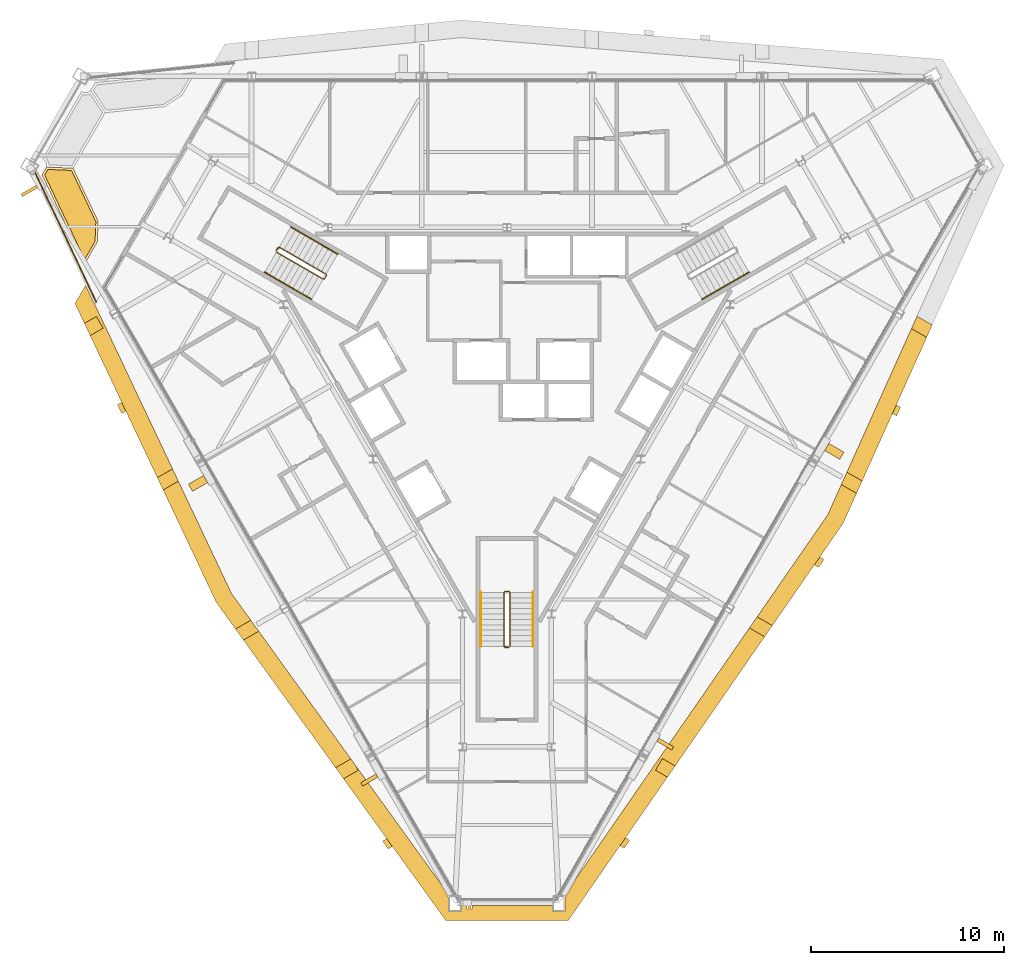
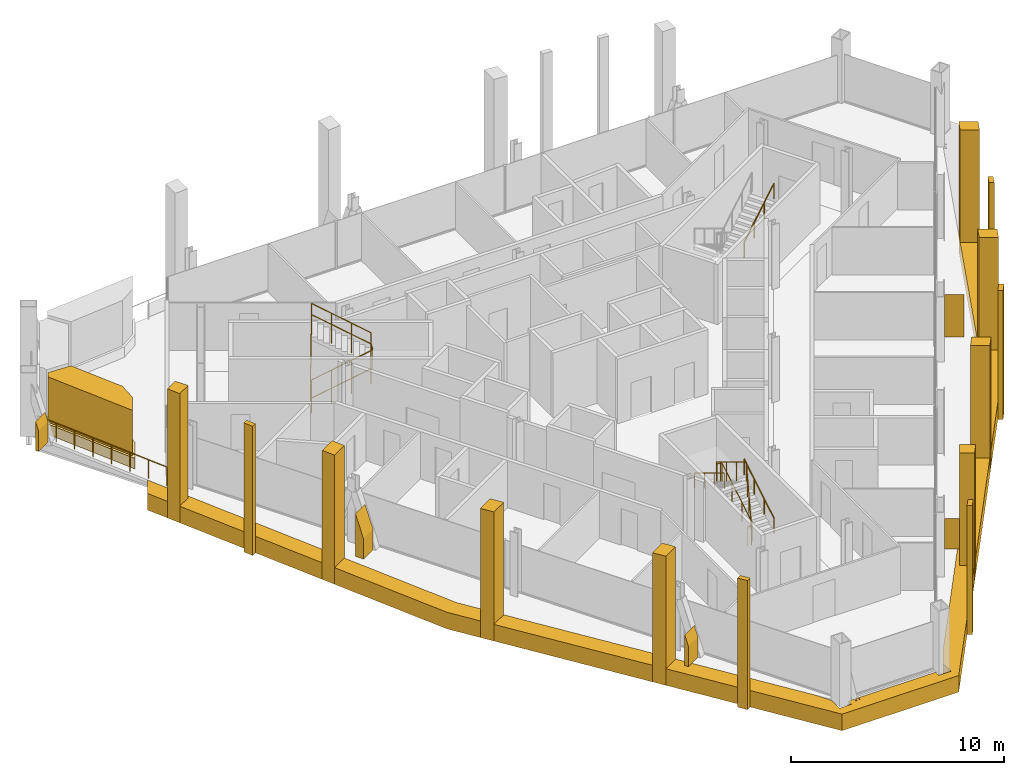
# One storey, part 13 of 14: 26 coverings, 8 railings.
"""IFC4 building model written with IfcOpenShell, lengths in metres."""

from ifc_helpers import new_model, si_unit, direction, frame, origin, origin_2d, place, context, subcontext, project, spatial, polyline, circle, outline, extrude, material, layer, layer_set, type_object, element, save


model = new_model("IFC4")

# Units and contexts
model_context = context("Model", 3, precision=1e-05, world=origin(), true_north=direction((0.0, 1.0)))
body_context = subcontext(model_context, "Body", "Model", "MODEL_VIEW")
ifc_project = project(units=[si_unit("LENGTHUNIT", "METRE"), si_unit("AREAUNIT", "SQUARE_METRE"), si_unit("VOLUMEUNIT", "CUBIC_METRE"), si_unit("PLANEANGLEUNIT", "RADIAN"), si_unit("MASSUNIT", "GRAM", prefix="KILO")], contexts=[model_context])

# Site, building, storey
site_placement = place(None, origin())
site = spatial("IfcSite", under=ifc_project, at=site_placement, CompositionType="ELEMENT")
building_placement = place(site_placement, origin())
building = spatial("IfcBuilding", under=site, at=building_placement, Name="Verrane Prism Tower", CompositionType="ELEMENT")
storey_placement = place(building_placement, frame((0.0, 0.0, 228.60009765625)))
storey = spatial("IfcBuildingStorey", under=building, at=storey_placement, Name="L57", CompositionType="ELEMENT", Elevation=228.60009765625)

# Railing
ifc_material_1 = material(Name="Stainless steel and laminated glass", Category="steel")
railing_type_1 = type_object("IfcRailingType", Name="Garden guard 1100", PredefinedType="GUARDRAIL", material=ifc_material_1)
railing_1_placement = place(storey_placement, frame((-24.4248046875, 10.811279296875, 0.0)))
element("IfcRailing", 1, at=railing_1_placement, inside=storey, type_object=railing_type_1, Name="Garden guard L57 3", PredefinedType="GUARDRAIL", context=body_context, shape_type="SweptSolid", body=[
    extrude(circle(Radius=0.02392578125, at=origin_2d()), frame((0.0, 0.0, 1.076171875), z_axis=(0.42752862353, -0.90400181198, 0.0), x_axis=(0.90400181198, 0.42752862353, 0.0)), (0.0, 0.0, 1.0), 7.37744140625),
    extrude(circle(Radius=0.02099609375, at=origin_2d()), origin(), (0.0, 0.0, 1.0), 1.052001953125),
    extrude(circle(Radius=0.02099609375, at=origin_2d()), frame((0.45068359375, -0.95263671875, 0.0)), (0.0, 0.0, 1.0), 1.052001953125),
    extrude(circle(Radius=0.02099609375, at=origin_2d()), frame((0.901123046875, -1.905517578125, 0.0)), (0.0, 0.0, 1.0), 1.052001953125),
    extrude(circle(Radius=0.02099609375, at=origin_2d()), frame((1.351806640625, -2.858154296875, 0.0)), (0.0, 0.0, 1.0), 1.052001953125),
    extrude(circle(Radius=0.02099609375, at=origin_2d()), frame((1.80224609375, -3.81103515625, 0.0)), (0.0, 0.0, 1.0), 1.052001953125),
    extrude(circle(Radius=0.02099609375, at=origin_2d()), frame((2.2529296875, -4.763671875, 0.0)), (0.0, 0.0, 1.0), 1.052001953125),
    extrude(circle(Radius=0.02099609375, at=origin_2d()), frame((2.703369140625, -5.716552734375, 0.0)), (0.0, 0.0, 1.0), 1.052001953125),
    extrude(circle(Radius=0.02099609375, at=origin_2d()), frame((3.154052734375, -6.669189453125, 0.0)), (0.0, 0.0, 1.0), 1.052001953125),
])

# Coverings
ifc_material_2 = material(Name="Planting medium in stone kerb", Category="masonry")
covering_type_1 = type_object("IfcCoveringType", Name="Planter bed 600", PredefinedType="USERDEFINED", material=ifc_material_2)
covering_1_placement = place(storey_placement, origin())
element("IfcCovering", 2, at=covering_1_placement, inside=storey, type_object=covering_type_1, Name="Planter bed L57 3", ObjectType="PLANTER", PredefinedType="USERDEFINED", context=body_context, shape_type="SweptSolid", body=[
    extrude(outline(polyline([(-21.880615234375, 6.086181640625), (-21.211669921875, 7.24462890625), (-21.16748046875, 8.321044921875), (-22.46728515625, 11.069580078125), (-23.848876953125, 11.126220703125), (-23.851318359375, 11.118408203125), (-23.86376953125, 11.086181640625), (-23.87939453125, 11.055908203125), (-24.072509765625, 10.721435546875), (-21.880615234375, 6.086181640625)])), origin(), (0.0, 0.0, 1.0), 0.599853515625),
])
ifc_material_3 = material(Name="Planted shrubs and grasses", Category="other")
covering_type_2 = type_object("IfcCoveringType", Name="Planting mass 1000", PredefinedType="USERDEFINED", material=ifc_material_3)
covering_2_placement = place(storey_placement, frame((0.0, 0.0, 0.599853515625)))
element("IfcCovering", 3, at=covering_2_placement, inside=storey, type_object=covering_type_2, Name="Planting L57 3", ObjectType="PLANTING", PredefinedType="USERDEFINED", context=body_context, shape_type="SweptSolid", body=[
    extrude(outline(polyline([(-21.869873046875, 6.344482421875), (-21.330322265625, 7.279052734375), (-21.28857421875, 8.29638671875), (-22.544921875, 10.952880859375), (-23.771728515625, 11.0029296875), (-23.774169921875, 10.998291015625), (-23.937255859375, 10.7158203125), (-21.869873046875, 6.344482421875)])), origin(), (0.0, 0.0, 1.0), 2.60009765625),
])

# Railings
ifc_material_4 = material(Name="Steel A36 rail and posts, no infill", Category="steel")
railing_type_2 = type_object("IfcRailingType", Name="Stair guard 1100 steel rail and posts", PredefinedType="GUARDRAIL", material=ifc_material_4)
railing_2_placement = place(storey_placement, frame((-11.939453125, 6.72021484375, 0.16796875)))
element("IfcRailing", 4, at=railing_2_placement, inside=storey, type_object=railing_type_2, Name="Stair 2 guard", PredefinedType="GUARDRAIL", context=body_context, shape_type="SweptSolid", body=[
    extrude(circle(Radius=0.02392578125, at=origin_2d()), frame((0.0, 0.0, 1.076171875), z_axis=(0.742366697286, -0.42866220388, 0.514917859203), x_axis=(0.500049511043, 0.865996816683, 0.0)), (0.0, 0.0, 1.0), 3.266357421875),
    extrude(circle(Radius=0.02392578125, at=origin_2d()), frame((2.4248046875, -1.400146484375, 2.7578125), z_axis=(0.965948051503, 0.258736085224, 0.0), x_axis=(-0.258736085224, 0.965948051503, 0.0)), (0.0, 0.0, 1.0), 0.07080078125),
    extrude(circle(Radius=0.02392578125, at=origin_2d()), frame((2.4931640625, -1.3818359375, 2.7578125), z_axis=(0.499158860599, 0.866510491504, 0.0), x_axis=(-0.866510491504, 0.499158860599, 0.0)), (0.0, 0.0, 1.0), 0.199951171875),
    extrude(circle(Radius=0.02392578125, at=origin_2d()), frame((2.593017578125, -1.20849609375, 2.7578125), z_axis=(-0.100385596638, 0.373434419493, 0.922209014446), x_axis=(-0.965715946433, -0.259601060869, 0.0)), (0.0, 0.0, 1.0), 0.182373046875),
    extrude(circle(Radius=0.02392578125, at=origin_2d()), frame((2.57470703125, -1.140380859375, 2.92626953125), z_axis=(-0.742366697286, 0.42866220388, 0.514917859203), x_axis=(-0.500049511043, -0.865996816683, 0.0)), (0.0, 0.0, 1.0), 3.266357421875),
    extrude(circle(Radius=0.02392578125, at=origin_2d()), frame((0.14990234375, 0.259765625, 4.60791015625), z_axis=(-0.04535595117, -0.051675503147, -0.99763343973), x_axis=(0.751567565678, -0.659656118156, 0.0)), (0.0, 0.0, 1.0), 3.708740234375),
    extrude(circle(Radius=0.02392578125, at=origin_2d()), frame((-0.018310546875, 0.068115234375, 0.908203125), z_axis=(0.499158860599, 0.866510491504, 0.0), x_axis=(-0.866510491504, 0.499158860599, 0.0)), (0.0, 0.0, 1.0), 0.199951171875),
    extrude(circle(Radius=0.02099609375, at=origin_2d()), origin(), (0.0, 0.0, 1.0), 1.052001953125),
    extrude(circle(Radius=0.02099609375, at=origin_2d()), frame((0.808349609375, -0.466796875, 0.560546875)), (0.0, 0.0, 1.0), 1.052001953125),
    extrude(circle(Radius=0.02099609375, at=origin_2d()), frame((1.616455078125, -0.933349609375, 1.121337890625)), (0.0, 0.0, 1.0), 1.052001953125),
    extrude(circle(Radius=0.02099609375, at=origin_2d()), frame((2.4248046875, -1.400146484375, 1.681884765625)), (0.0, 0.0, 1.0), 1.052001953125),
    extrude(circle(Radius=0.02099609375, at=origin_2d()), frame((2.4931640625, -1.3818359375, 1.681884765625)), (0.0, 0.0, 1.0), 1.052001953125),
    extrude(circle(Radius=0.02099609375, at=origin_2d()), frame((2.593017578125, -1.20849609375, 1.681884765625)), (0.0, 0.0, 1.0), 1.052001953125),
    extrude(circle(Radius=0.02099609375, at=origin_2d()), frame((2.57470703125, -1.140380859375, 1.85009765625)), (0.0, 0.0, 1.0), 1.052001953125),
    extrude(circle(Radius=0.02099609375, at=origin_2d()), frame((1.766357421875, -0.673583984375, 2.41064453125)), (0.0, 0.0, 1.0), 1.052001953125),
    extrude(circle(Radius=0.02099609375, at=origin_2d()), frame((0.958251953125, -0.20703125, 2.971435546875)), (0.0, 0.0, 1.0), 1.052001953125),
    extrude(circle(Radius=0.02099609375, at=origin_2d()), frame((0.14990234375, 0.259765625, 3.531982421875)), (0.0, 0.0, 1.0), 1.052001953125),
    extrude(circle(Radius=0.02099609375, at=origin_2d()), frame((0.10791015625, 0.2119140625, 2.60693359375)), (0.0, 0.0, 1.0), 1.052001953125),
    extrude(circle(Radius=0.02099609375, at=origin_2d()), frame((0.06591796875, 0.1640625, 1.68212890625)), (0.0, 0.0, 1.0), 1.052001953125),
    extrude(circle(Radius=0.02099609375, at=origin_2d()), frame((0.023681640625, 0.115966796875, 0.757080078125)), (0.0, 0.0, 1.0), 1.052001953125),
    extrude(circle(Radius=0.02099609375, at=origin_2d()), frame((-0.018310546875, 0.068115234375, -0.16796875)), (0.0, 0.0, 1.0), 1.052001953125),
    extrude(circle(Radius=0.02099609375, at=origin_2d()), frame((0.08154296875, 0.241455078125, -0.16796875)), (0.0, 0.0, 1.0), 1.052001953125),
])
railing_3_placement = place(storey_placement, frame((0.14990234375, -13.699951171875, 0.16796875)))
element("IfcRailing", 5, at=railing_3_placement, inside=storey, type_object=railing_type_2, Name="Stair 3 guard", PredefinedType="GUARDRAIL", context=body_context, shape_type="SweptSolid", body=[
    extrude(circle(Radius=0.02392578125, at=origin_2d()), frame((0.0, 0.0, 1.076171875), z_axis=(0.0, 0.857242210791, 0.514913383045), x_axis=(-1.0, 0.0, 0.0)), (0.0, 0.0, 1.0), 3.266357421875),
    extrude(circle(Radius=0.02392578125, at=origin_2d()), frame((0.0, 2.800048828125, 2.7578125), z_axis=(-0.707106781187, 0.707106781187, 0.0), x_axis=(-0.707106781187, -0.707106781187, 0.0)), (0.0, 0.0, 1.0), 0.0703125),
    extrude(circle(Radius=0.02392578125, at=origin_2d()), frame((-0.0498046875, 2.849853515625, 2.7578125), z_axis=(-1.0, 0.0, 0.0), x_axis=(0.0, -1.0, 0.0)), (0.0, 0.0, 1.0), 0.2001953125),
    extrude(circle(Radius=0.02392578125, at=origin_2d()), frame((-0.25, 2.849853515625, 2.7578125), z_axis=(-0.273106073848, -0.273106073848, 0.922402376869), x_axis=(0.707106781187, -0.707106781187, 0.0)), (0.0, 0.0, 1.0), 0.182373046875),
    extrude(circle(Radius=0.02392578125, at=origin_2d()), frame((-0.2998046875, 2.800048828125, 2.92626953125), z_axis=(0.0, -0.857242210791, 0.514913383045), x_axis=(1.0, 0.0, 0.0)), (0.0, 0.0, 1.0), 3.266357421875),
    extrude(circle(Radius=0.02392578125, at=origin_2d()), frame((-0.2998046875, 0.0, 4.60791015625), z_axis=(0.067408604812, -0.013494886706, -0.997634185476), x_axis=(0.196300278283, 0.98054382908, 0.0)), (0.0, 0.0, 1.0), 3.708740234375),
    extrude(circle(Radius=0.02392578125, at=origin_2d()), frame((-0.0498046875, -0.050048828125, 0.908203125), z_axis=(-1.0, 0.0, 0.0), x_axis=(0.0, -1.0, 0.0)), (0.0, 0.0, 1.0), 0.2001953125),
    extrude(circle(Radius=0.02099609375, at=origin_2d()), origin(), (0.0, 0.0, 1.0), 1.052001953125),
    extrude(circle(Radius=0.02099609375, at=origin_2d()), frame((0.0, 0.933349609375, 0.560546875)), (0.0, 0.0, 1.0), 1.052001953125),
    extrude(circle(Radius=0.02099609375, at=origin_2d()), frame((0.0, 1.86669921875, 1.121337890625)), (0.0, 0.0, 1.0), 1.052001953125),
    extrude(circle(Radius=0.02099609375, at=origin_2d()), frame((0.0, 2.800048828125, 1.681884765625)), (0.0, 0.0, 1.0), 1.052001953125),
    extrude(circle(Radius=0.02099609375, at=origin_2d()), frame((-0.0498046875, 2.849853515625, 1.681884765625)), (0.0, 0.0, 1.0), 1.052001953125),
    extrude(circle(Radius=0.02099609375, at=origin_2d()), frame((-0.25, 2.849853515625, 1.681884765625)), (0.0, 0.0, 1.0), 1.052001953125),
    extrude(circle(Radius=0.02099609375, at=origin_2d()), frame((-0.2998046875, 2.800048828125, 1.85009765625)), (0.0, 0.0, 1.0), 1.052001953125),
    extrude(circle(Radius=0.02099609375, at=origin_2d()), frame((-0.2998046875, 1.86669921875, 2.41064453125)), (0.0, 0.0, 1.0), 1.052001953125),
    extrude(circle(Radius=0.02099609375, at=origin_2d()), frame((-0.2998046875, 0.933349609375, 2.971435546875)), (0.0, 0.0, 1.0), 1.052001953125),
    extrude(circle(Radius=0.02099609375, at=origin_2d()), frame((-0.2998046875, 0.0, 3.531982421875)), (0.0, 0.0, 1.0), 1.052001953125),
    extrude(circle(Radius=0.02099609375, at=origin_2d()), frame((-0.2373046875, -0.012451171875, 2.60693359375)), (0.0, 0.0, 1.0), 1.052001953125),
    extrude(circle(Radius=0.02099609375, at=origin_2d()), frame((-0.1748046875, -0.02490234375, 1.68212890625)), (0.0, 0.0, 1.0), 1.052001953125),
    extrude(circle(Radius=0.02099609375, at=origin_2d()), frame((-0.1123046875, -0.03759765625, 0.757080078125)), (0.0, 0.0, 1.0), 1.052001953125),
    extrude(circle(Radius=0.02099609375, at=origin_2d()), frame((-0.0498046875, -0.050048828125, -0.16796875)), (0.0, 0.0, 1.0), 1.052001953125),
    extrude(circle(Radius=0.02099609375, at=origin_2d()), frame((-0.25, -0.050048828125, -0.16796875)), (0.0, 0.0, 1.0), 1.052001953125),
])
ifc_material_5 = material(Name="Steel A36 tube", Category="steel")
railing_type_3 = type_object("IfcRailingType", Name="Stair handrail 900 steel tube", PredefinedType="HANDRAIL", material=ifc_material_5)
railing_4_placement = place(storey_placement, frame((10.11474609375, 4.28076171875, 2.01806640625)))
element("IfcRailing", 6, at=railing_4_placement, inside=storey, type_object=railing_type_3, Name="Stair 1 handrail", PredefinedType="HANDRAIL", context=body_context, shape_type="SweptSolid", body=[
    extrude(circle(Radius=0.02392578125, at=origin_2d()), frame((0.0, 0.0, 0.8759765625), z_axis=(0.742366697286, 0.42866220388, 0.514917859203), x_axis=(-0.500049511043, 0.865996816683, 0.0)), (0.0, 0.0, 1.0), 3.266357421875),
    extrude(circle(Radius=0.02099609375, at=origin_2d()), origin(), (0.0, 0.0, 1.0), 0.851806640625),
    extrude(circle(Radius=0.02099609375, at=origin_2d()), frame((0.808349609375, 0.466796875, 0.560546875)), (0.0, 0.0, 1.0), 0.851806640625),
    extrude(circle(Radius=0.02099609375, at=origin_2d()), frame((1.616455078125, 0.933349609375, 1.121337890625)), (0.0, 0.0, 1.0), 0.851806640625),
    extrude(circle(Radius=0.02099609375, at=origin_2d()), frame((2.4248046875, 1.400146484375, 1.681884765625)), (0.0, 0.0, 1.0), 0.851806640625),
])
railing_5_placement = place(storey_placement, frame((-12.53955078125, 5.680908203125, 0.16796875)))
element("IfcRailing", 7, at=railing_5_placement, inside=storey, type_object=railing_type_3, Name="Stair 2 handrail", PredefinedType="HANDRAIL", context=body_context, shape_type="SweptSolid", body=[
    extrude(circle(Radius=0.02392578125, at=origin_2d()), frame((0.0, 0.0, 0.8759765625), z_axis=(0.742366697286, -0.42866220388, 0.514917859203), x_axis=(0.500049511043, 0.865996816683, 0.0)), (0.0, 0.0, 1.0), 3.266357421875),
    extrude(circle(Radius=0.02099609375, at=origin_2d()), origin(), (0.0, 0.0, 1.0), 0.851806640625),
    extrude(circle(Radius=0.02099609375, at=origin_2d()), frame((0.808349609375, -0.466796875, 0.560546875)), (0.0, 0.0, 1.0), 0.851806640625),
    extrude(circle(Radius=0.02099609375, at=origin_2d()), frame((1.616455078125, -0.933349609375, 1.121337890625)), (0.0, 0.0, 1.0), 0.851806640625),
    extrude(circle(Radius=0.02099609375, at=origin_2d()), frame((2.4248046875, -1.400146484375, 1.681884765625)), (0.0, 0.0, 1.0), 0.851806640625),
])
railing_6_placement = place(storey_placement, frame((-8.7646484375, 6.619140625, 2.01806640625)))
element("IfcRailing", 8, at=railing_6_placement, inside=storey, type_object=railing_type_3, Name="Stair 2 handrail", PredefinedType="HANDRAIL", context=body_context, shape_type="SweptSolid", body=[
    extrude(circle(Radius=0.02392578125, at=origin_2d()), frame((0.0, 0.0, 0.8759765625), z_axis=(-0.742390482028, 0.42860119049, 0.514934356695), x_axis=(-0.49998411664, -0.866034573852, 0.0)), (0.0, 0.0, 1.0), 3.26611328125),
    extrude(circle(Radius=0.02099609375, at=origin_2d()), origin(), (0.0, 0.0, 1.0), 0.851806640625),
    extrude(circle(Radius=0.02099609375, at=origin_2d()), frame((-0.808349609375, 0.466552734375, 0.560546875)), (0.0, 0.0, 1.0), 0.851806640625),
    extrude(circle(Radius=0.02099609375, at=origin_2d()), frame((-1.616455078125, 0.933349609375, 1.121337890625)), (0.0, 0.0, 1.0), 0.851806640625),
    extrude(circle(Radius=0.02099609375, at=origin_2d()), frame((-2.4248046875, 1.39990234375, 1.681884765625)), (0.0, 0.0, 1.0), 0.851806640625),
])
railing_7_placement = place(storey_placement, frame((1.35009765625, -13.699951171875, 0.16796875)))
element("IfcRailing", 9, at=railing_7_placement, inside=storey, type_object=railing_type_3, Name="Stair 3 handrail", PredefinedType="HANDRAIL", context=body_context, shape_type="SweptSolid", body=[
    extrude(circle(Radius=0.02392578125, at=origin_2d()), frame((0.0, 0.0, 0.8759765625), z_axis=(0.0, 0.857242210791, 0.514913383045), x_axis=(-1.0, 0.0, 0.0)), (0.0, 0.0, 1.0), 3.266357421875),
    extrude(circle(Radius=0.02099609375, at=origin_2d()), origin(), (0.0, 0.0, 1.0), 0.851806640625),
    extrude(circle(Radius=0.02099609375, at=origin_2d()), frame((0.0, 0.933349609375, 0.560546875)), (0.0, 0.0, 1.0), 0.851806640625),
    extrude(circle(Radius=0.02099609375, at=origin_2d()), frame((0.0, 1.86669921875, 1.121337890625)), (0.0, 0.0, 1.0), 0.851806640625),
    extrude(circle(Radius=0.02099609375, at=origin_2d()), frame((0.0, 2.800048828125, 1.681884765625)), (0.0, 0.0, 1.0), 0.851806640625),
])
railing_8_placement = place(storey_placement, frame((-1.35009765625, -10.89990234375, 2.01806640625)))
element("IfcRailing", 10, at=railing_8_placement, inside=storey, type_object=railing_type_3, Name="Stair 3 handrail", PredefinedType="HANDRAIL", context=body_context, shape_type="SweptSolid", body=[
    extrude(circle(Radius=0.02392578125, at=origin_2d()), frame((0.0, 0.0, 0.8759765625), z_axis=(0.0, -0.857242210791, 0.514913383045), x_axis=(1.0, 0.0, 0.0)), (0.0, 0.0, 1.0), 3.266357421875),
    extrude(circle(Radius=0.02099609375, at=origin_2d()), origin(), (0.0, 0.0, 1.0), 0.851806640625),
    extrude(circle(Radius=0.02099609375, at=origin_2d()), frame((0.0, -0.933349609375, 0.560546875)), (0.0, 0.0, 1.0), 0.851806640625),
    extrude(circle(Radius=0.02099609375, at=origin_2d()), frame((0.0, -1.86669921875, 1.121337890625)), (0.0, 0.0, 1.0), 0.851806640625),
    extrude(circle(Radius=0.02099609375, at=origin_2d()), frame((0.0, -2.800048828125, 1.681884765625)), (0.0, 0.0, 1.0), 0.851806640625),
])

# Coverings
ifc_material_6 = material(Name="Warm limestone cladding", Category="masonry")
ifc_layer_1 = layer(ifc_material_6, 0.89990234375)
ifc_layer_set_1 = layer_set([ifc_layer_1], Name="Stone brace fin 900")
covering_type_3 = type_object("IfcCoveringType", Name="Stone brace fin 900", PredefinedType="CLADDING", material=ifc_layer_set_1)
covering_3_placement = place(storey_placement, frame((-24.699951171875, 9.81787109375, 0.0), z_axis=(0.0, 0.0, 1.0), x_axis=(-0.499897828833, 0.8660843843, 0.0)))
element("IfcCovering", 11, at=covering_3_placement, inside=storey, type_object=covering_type_3, Name="Stone brace fin SW1 L57", PredefinedType="CLADDING", context=body_context, shape_type="SweptSolid", body=[
    extrude(outline(polyline([(0.0, 0.0), (0.16064453125, 0.0), (0.16064453125, 1.653564453125), (0.0, 1.180908203125), (0.0, 0.0)])), frame((0.0, 0.449951171875, 0.0), z_axis=(0.0, -1.0, 0.0), x_axis=(1.0, 0.0, 0.0)), (0.0, 0.0, 1.0), 0.89990234375),
])
covering_4_placement = place(storey_placement, frame((-15.889892578125, -5.442138671875, 0.0), z_axis=(0.0, 0.0, 1.0), x_axis=(-0.499936043505, 0.866062325935, 0.0)))
element("IfcCovering", 12, at=covering_4_placement, inside=storey, type_object=covering_type_3, Name="Stone brace fin SW3 L57", PredefinedType="CLADDING", context=body_context, shape_type="SweptSolid", body=[
    extrude(outline(polyline([(0.0, 0.0), (0.4287109375, 0.0), (0.4287109375, 2.44140625), (0.0, 1.180908203125), (0.0, 0.0)])), frame((0.0, 0.449951171875, 0.0), z_axis=(0.0, -1.0, 0.0), x_axis=(1.0, 0.0, 0.0)), (0.0, 0.0, 1.0), 0.89990234375),
])
for number, where, z_axis, x_axis, name in (
    (13, (-7.078369140625, -20.70263671875, 0.0), (0.0, 0.0, 1.0), (-0.500546585163, 0.865709602627, 0.0), "Stone brace fin SW5 L57"),
    (14, (8.252685546875, -18.6708984375, 0.0), (0.0, 0.0, 1.0), (-0.500008851346, -0.866020293397, 0.0), "Stone brace fin SE2 L57"),
):
    element("IfcCovering", number, at=place(storey_placement, frame(where, z_axis=z_axis, x_axis=x_axis)), inside=storey, type_object=covering_type_3, Name=name, PredefinedType="CLADDING", context=body_context, shape_type="SweptSolid", body=[
        extrude(outline(polyline([(0.0, 0.0), (0.196533203125, 0.0), (0.196533203125, 1.758056640625), (0.0, 1.18017578125), (0.0, 0.0)])), frame((0.0, 0.449951171875, 0.0), z_axis=(0.0, -1.0, 0.0), x_axis=(1.0, 0.0, 0.0)), (0.0, 0.0, 1.0), 0.89990234375),
    ])
covering_5_placement = place(storey_placement, frame((17.0625, -3.410888671875, 0.0), z_axis=(0.0, 0.0, 1.0), x_axis=(-0.500116443366, -0.865958164737, 0.0)))
element("IfcCovering", 15, at=covering_5_placement, inside=storey, type_object=covering_type_3, Name="Stone brace fin SE4 L57", PredefinedType="CLADDING", context=body_context, shape_type="SweptSolid", body=[
    extrude(outline(polyline([(0.0, 0.0), (0.428955078125, 0.0), (0.428955078125, 2.440673828125), (0.0, 1.18017578125), (0.0, 0.0)])), frame((0.0, 0.449951171875, 0.0), z_axis=(0.0, -1.0, 0.0), x_axis=(1.0, 0.0, 0.0)), (0.0, 0.0, 1.0), 0.89990234375),
])
ifc_material_7 = material(Name="Warm limestone cladding", Category="masonry")
covering_type_4 = type_object("IfcCoveringType", Name="Stone mullion pier 500", PredefinedType="CLADDING", material=ifc_material_7)
covering_6_placement = place(storey_placement, frame((0.0, 0.0, -0.9501953125)))
element("IfcCovering", 16, at=covering_6_placement, inside=storey, type_object=covering_type_4, Name="Stone pier SM-SW1.1 L57-L58", PredefinedType="CLADDING", context=body_context, shape_type="SweptSolid", body=[
    extrude(outline(polyline([(-19.7373046875, -1.509521484375), (-19.95166015625, -1.055908203125), (-20.1689453125, -1.181396484375), (-19.95458984375, -1.635009765625), (-19.7373046875, -1.509521484375)])), origin(), (0.0, 0.0, 1.0), 7.400146484375),
])
covering_7_placement = place(storey_placement, frame((0.0, 0.0, -0.9501953125)))
element("IfcCovering", 17, at=covering_7_placement, inside=storey, type_object=covering_type_4, Name="Stone pier SM-SW4.1 L57-L58", PredefinedType="CLADDING", context=body_context, shape_type="SweptSolid", body=[
    extrude(outline(polyline([(-5.9306640625, -24.0615234375), (-6.224609375, -23.654052734375), (-6.442138671875, -23.77978515625), (-6.148193359375, -24.187255859375), (-5.9306640625, -24.0615234375)])), origin(), (0.0, 0.0, 1.0), 7.400146484375),
])
covering_8_placement = place(storey_placement, frame((0.0, 0.0, -0.9501953125)))
element("IfcCovering", 18, at=covering_8_placement, inside=storey, type_object=covering_type_4, Name="Stone pier SM-SE0.1 L57-L58", PredefinedType="CLADDING", context=body_context, shape_type="SweptSolid", body=[
    extrude(outline(polyline([(6.144287109375, -23.607666015625), (5.858642578125, -24.02001953125), (6.075927734375, -24.1455078125), (6.361328125, -23.73291015625), (6.144287109375, -23.607666015625)])), origin(), (0.0, 0.0, 1.0), 7.400146484375),
])
covering_9_placement = place(storey_placement, frame((0.0, 0.0, -0.9501953125)))
element("IfcCovering", 19, at=covering_9_placement, inside=storey, type_object=covering_type_4, Name="Stone pier SM-SE2.1 L57-L58", PredefinedType="CLADDING", context=body_context, shape_type="SweptSolid", body=[
    extrude(outline(polyline([(16.20751953125, -9.06884765625), (15.922119140625, -9.481201171875), (16.139404296875, -9.606689453125), (16.4248046875, -9.194091796875), (16.20751953125, -9.06884765625)])), origin(), (0.0, 0.0, 1.0), 7.400146484375),
])
covering_10_placement = place(storey_placement, frame((0.0, 0.0, -0.9501953125)))
element("IfcCovering", 20, at=covering_10_placement, inside=storey, type_object=covering_type_4, Name="Stone pier SM-SE3.1 L57-L58", PredefinedType="CLADDING", context=body_context, shape_type="SweptSolid", body=[
    extrude(outline(polyline([(20.173095703125, -1.183837890625), (19.96728515625, -1.642333984375), (20.184814453125, -1.767822265625), (20.390869140625, -1.3095703125), (20.173095703125, -1.183837890625)])), origin(), (0.0, 0.0, 1.0), 7.400146484375),
])
ifc_material_8 = material(Name="Warm limestone cladding", Category="masonry")
covering_type_5 = type_object("IfcCoveringType", Name="Stone pier 700", PredefinedType="CLADDING", material=ifc_material_8)
covering_11_placement = place(storey_placement, frame((0.0, 0.0, -0.9501953125)))
element("IfcCovering", 21, at=covering_11_placement, inside=storey, type_object=covering_type_5, Name="Stone pier PC-SW1 L57-L58", PredefinedType="CLADDING", context=body_context, shape_type="SweptSolid", body=[
    extrude(outline(polyline([(-20.910400390625, 2.784912109375), (-21.01318359375, 2.96337890625), (-21.26025390625, 3.39111328125), (-21.884521484375, 3.031005859375), (-21.584228515625, 2.39599609375), (-20.910400390625, 2.784912109375)])), origin(), (0.0, 0.0, 1.0), 7.400146484375),
])
covering_12_placement = place(storey_placement, frame((0.0, 0.0, -0.9501953125)))
element("IfcCovering", 22, at=covering_12_placement, inside=storey, type_object=covering_type_5, Name="Stone pier PC-SW2 L57-L58", PredefinedType="CLADDING", context=body_context, shape_type="SweptSolid", body=[
    extrude(outline(polyline([(-17.804443359375, -5.596435546875), (-17.013916015625, -5.139892578125), (-17.314208984375, -4.5048828125), (-18.104736328125, -4.96142578125), (-17.804443359375, -5.596435546875)])), origin(), (0.0, 0.0, 1.0), 7.400146484375),
])
covering_13_placement = place(storey_placement, frame((0.0, 0.0, -0.9501953125)))
element("IfcCovering", 23, at=covering_13_placement, inside=storey, type_object=covering_type_5, Name="Stone pier PC-SW3 L57-L58", PredefinedType="CLADDING", context=body_context, shape_type="SweptSolid", body=[
    extrude(outline(polyline([(-13.6435546875, -13.368408203125), (-12.851806640625, -12.9111328125), (-13.26318359375, -12.340576171875), (-14.05517578125, -12.7978515625), (-13.6435546875, -13.368408203125)])), origin(), (0.0, 0.0, 1.0), 7.400146484375),
])
covering_14_placement = place(storey_placement, frame((0.0, 0.0, -0.9501953125)))
element("IfcCovering", 24, at=covering_14_placement, inside=storey, type_object=covering_type_5, Name="Stone pier PC-SW4 L57-L58", PredefinedType="CLADDING", context=body_context, shape_type="SweptSolid", body=[
    extrude(outline(polyline([(-7.697021484375, -20.109619140625), (-7.741455078125, -20.03271484375), (-7.84716796875, -19.84912109375), (-8.08203125, -19.523681640625), (-8.8740234375, -19.98095703125), (-8.46240234375, -20.551513671875), (-7.697021484375, -20.109619140625)])), origin(), (0.0, 0.0, 1.0), 7.400146484375),
])
covering_15_placement = place(storey_placement, frame((0.0, 0.0, -0.9501953125)))
element("IfcCovering", 25, at=covering_15_placement, inside=storey, type_object=covering_type_5, Name="Stone pier PC-SE1 L57-L58", PredefinedType="CLADDING", context=body_context, shape_type="SweptSolid", body=[
    extrude(outline(polyline([(8.046875, -19.50341796875), (7.853271484375, -19.8388671875), (7.697021484375, -20.109619140625), (8.3173828125, -20.468017578125), (8.717041015625, -19.890380859375), (8.046875, -19.50341796875)])), origin(), (0.0, 0.0, 1.0), 7.400146484375),
])
covering_16_placement = place(storey_placement, frame((0.0, 0.0, -0.9501953125)))
element("IfcCovering", 26, at=covering_16_placement, inside=storey, type_object=covering_type_5, Name="Stone pier PC-SE2 L57-L58", PredefinedType="CLADDING", context=body_context, shape_type="SweptSolid", body=[
    extrude(outline(polyline([(13.748779296875, -12.62109375), (12.958251953125, -12.16455078125), (12.55859375, -12.741943359375), (13.34912109375, -13.198486328125), (13.748779296875, -12.62109375)])), origin(), (0.0, 0.0, 1.0), 7.400146484375),
])
covering_17_placement = place(storey_placement, frame((0.0, 0.0, -0.9501953125)))
element("IfcCovering", 27, at=covering_17_placement, inside=storey, type_object=covering_type_5, Name="Stone pier PC-SE3 L57-L58", PredefinedType="CLADDING", context=body_context, shape_type="SweptSolid", body=[
    extrude(outline(polyline([(18.3994140625, -5.131591796875), (17.607421875, -4.67431640625), (17.31884765625, -5.31591796875), (18.11083984375, -5.773193359375), (18.3994140625, -5.131591796875)])), origin(), (0.0, 0.0, 1.0), 7.400146484375),
])
covering_18_placement = place(storey_placement, frame((0.0, 0.0, -0.9501953125)))
element("IfcCovering", 28, at=covering_18_placement, inside=storey, type_object=covering_type_5, Name="Stone pier PC-SE4 L57-L58", PredefinedType="CLADDING", context=body_context, shape_type="SweptSolid", body=[
    extrude(outline(polyline([(21.26025390625, 3.39111328125), (21.13037109375, 3.166015625), (20.94921875, 2.7626953125), (21.740966796875, 2.305419921875), (22.029296875, 2.947265625), (21.26025390625, 3.39111328125)])), origin(), (0.0, 0.0, 1.0), 7.400146484375),
])
ifc_material_9 = material(Name="Warm limestone cladding", Category="masonry")
ifc_layer_2 = layer(ifc_material_9, 0.449951171875)
ifc_layer_set_2 = layer_set([ifc_layer_2], Name="Stone spandrel band 450")
covering_type_6 = type_object("IfcCoveringType", Name="Stone spandrel band 450", PredefinedType="CLADDING", material=ifc_layer_set_2)
covering_19_placement = place(storey_placement, frame((0.0, 0.0, -0.9501953125)))
element("IfcCovering", 29, at=covering_19_placement, inside=storey, type_object=covering_type_6, Name="Stone spandrel band L57 part 1", PredefinedType="CLADDING", context=body_context, shape_type="SweptSolid", body=[
    extrude(outline(polyline([(13.34912109375, -13.198486328125), (12.55859375, -12.741943359375), (3.623291015625, -25.651123046875), (3.02001953125, -26.69580078125), (3.02001953125, -27.419921875), (2.360107421875, -27.419921875), (2.360107421875, -27.12548828125), (-1.815185546875, -27.12548828125), (-1.815185546875, -27.2900390625), (-1.860107421875, -27.2900390625), (-1.860107421875, -27.12548828125), (-1.98291015625, -27.12548828125), (-1.98291015625, -27.2900390625), (-2.05419921875, -27.2900390625), (-2.05419921875, -27.12548828125), (-2.360107421875, -27.12548828125), (-2.360107421875, -27.419921875), (-3.02001953125, -27.419921875), (-3.02001953125, -26.69580078125), (-3.466552734375, -25.922607421875), (-7.803955078125, -19.9091796875), (-7.810302734375, -19.9130859375), (-7.697021484375, -20.109619140625), (-8.46240234375, -20.551513671875), (-3.160400390625, -27.90185546875), (3.171630859375, -27.90185546875), (8.3173828125, -20.468017578125), (7.697021484375, -20.109619140625), (8.046875, -19.50341796875), (8.717041015625, -19.890380859375), (13.34912109375, -13.198486328125)])), origin(), (0.0, 0.0, 1.0), 0.9501953125),
])
covering_20_placement = place(storey_placement, frame((0.0, 0.0, -0.9501953125)))
element("IfcCovering", 30, at=covering_20_placement, inside=storey, type_object=covering_type_6, Name="Stone spandrel band L57 part 3", PredefinedType="CLADDING", context=body_context, shape_type="SweptSolid", body=[
    extrude(outline(polyline([(-17.314208984375, -4.5048828125), (-21.338623046875, 4.004638671875), (-21.3447265625, 3.994140625), (-21.822998046875, 5.00537109375), (-22.3701171875, 4.0576171875), (-21.884521484375, 3.031005859375), (-21.26025390625, 3.39111328125), (-20.910400390625, 2.784912109375), (-21.584228515625, 2.39599609375), (-18.104736328125, -4.96142578125), (-17.314208984375, -4.5048828125)])), origin(), (0.0, 0.0, 1.0), 0.9501953125),
])
covering_21_placement = place(storey_placement, frame((0.0, 0.0, -0.9501953125)))
element("IfcCovering", 31, at=covering_21_placement, inside=storey, type_object=covering_type_6, Name="Stone spandrel band L57 part 4", PredefinedType="CLADDING", context=body_context, shape_type="SweptSolid", body=[
    extrude(outline(polyline([(-14.05517578125, -12.7978515625), (-13.26318359375, -12.340576171875), (-14.266357421875, -10.949951171875), (-17.013916015625, -5.139892578125), (-17.804443359375, -5.596435546875), (-15.052978515625, -11.414306640625), (-14.05517578125, -12.7978515625)])), origin(), (0.0, 0.0, 1.0), 0.9501953125),
])
covering_22_placement = place(storey_placement, frame((0.0, 0.0, -0.9501953125)))
element("IfcCovering", 32, at=covering_22_placement, inside=storey, type_object=covering_type_6, Name="Stone spandrel band L57 part 5", PredefinedType="CLADDING", context=body_context, shape_type="SweptSolid", body=[
    extrude(outline(polyline([(-8.8740234375, -19.98095703125), (-8.08203125, -19.523681640625), (-12.851806640625, -12.9111328125), (-13.6435546875, -13.368408203125), (-8.8740234375, -19.98095703125)])), origin(), (0.0, 0.0, 1.0), 0.9501953125),
])
covering_23_placement = place(storey_placement, frame((0.0, 0.0, -0.9501953125)))
element("IfcCovering", 33, at=covering_23_placement, inside=storey, type_object=covering_type_6, Name="Stone spandrel band L57 part 6", PredefinedType="CLADDING", context=body_context, shape_type="SweptSolid", body=[
    extrude(outline(polyline([(18.11083984375, -5.773193359375), (17.31884765625, -5.31591796875), (16.6162109375, -6.880126953125), (12.958251953125, -12.16455078125), (13.748779296875, -12.62109375), (17.41162109375, -7.3291015625), (18.11083984375, -5.773193359375)])), origin(), (0.0, 0.0, 1.0), 0.9501953125),
])
covering_24_placement = place(storey_placement, frame((0.0, 0.0, -0.9501953125)))
element("IfcCovering", 34, at=covering_24_placement, inside=storey, type_object=covering_type_6, Name="Stone spandrel band L57 part 7", PredefinedType="CLADDING", context=body_context, shape_type="SweptSolid", body=[
    extrude(outline(polyline([(20.94921875, 2.7626953125), (17.607421875, -4.67431640625), (18.3994140625, -5.131591796875), (21.740966796875, 2.305419921875), (20.94921875, 2.7626953125)])), origin(), (0.0, 0.0, 1.0), 0.9501953125),
])

save(model, "model.ifc")
